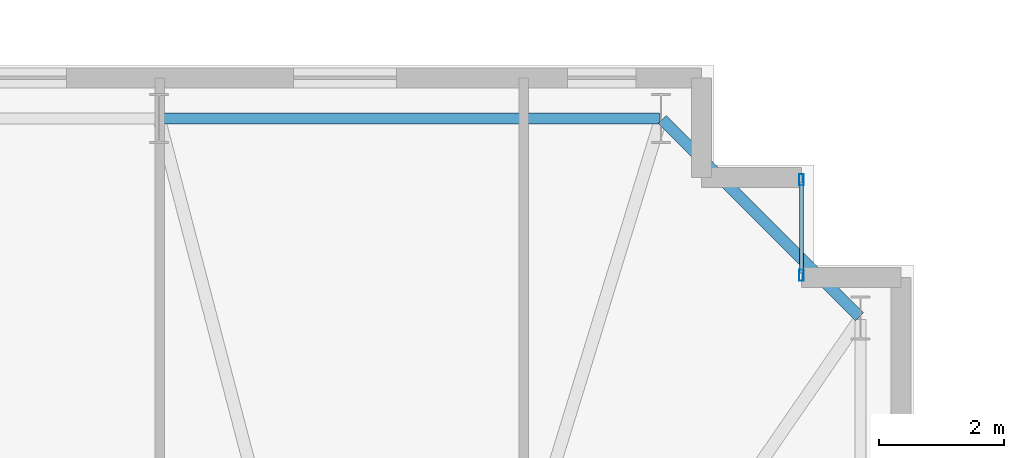
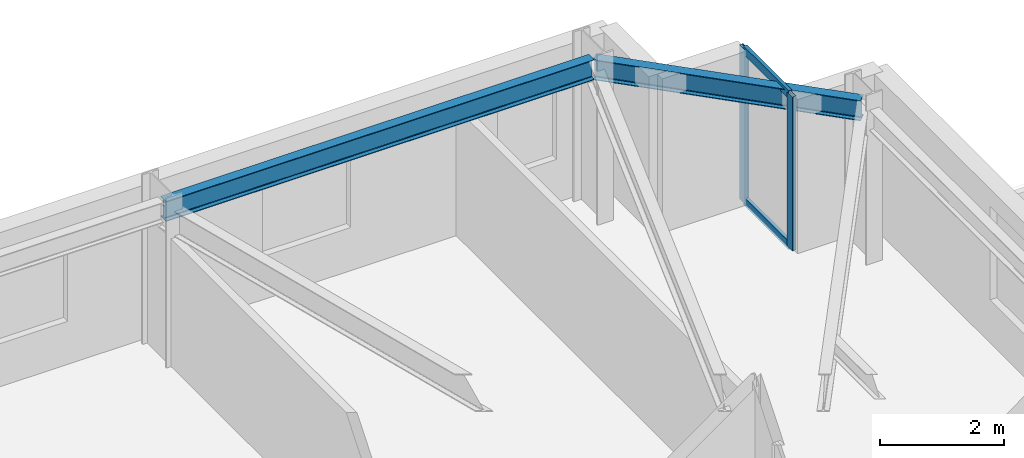
# One storey, part 9 of 17: 4 members, 2 beams, 1 element without a shape of its own.
"""IFC4 building model written with IfcOpenShell, lengths in metres."""

from ifc_helpers import new_model, si_unit, direction, frame, origin, origin_2d, place, context, subcontext, project, spatial, hollow_rectangle, i_section, extrude, material, layer, layer_set, material_profile, profile_set, type_object, element, aggregate, save


model = new_model("IFC4")

# Units and contexts
model_context = context("Model", 3, precision=1e-05, world=origin(), true_north=direction((0.0, 1.0)))
body_context = subcontext(model_context, "Body", "Model", "MODEL_VIEW")
ifc_project = project(units=[si_unit("LENGTHUNIT", "METRE"), si_unit("AREAUNIT", "SQUARE_METRE"), si_unit("VOLUMEUNIT", "CUBIC_METRE"), si_unit("PLANEANGLEUNIT", "RADIAN"), si_unit("MASSUNIT", "GRAM", prefix="KILO")], contexts=[model_context])

# Site, building, storey
site_placement = place(None, origin())
site = spatial("IfcSite", under=ifc_project, at=site_placement, CompositionType="ELEMENT")
building_placement = place(site_placement, origin())
building = spatial("IfcBuilding", under=site, at=building_placement, Name="Qobustan Lattice House", CompositionType="ELEMENT")
storey_placement = place(building_placement, frame((0.0, 0.0, 144.39990234375)))
storey = spatial("IfcBuildingStorey", under=building, at=storey_placement, Name="L40", CompositionType="ELEMENT", Elevation=144.39990234375)

# Beams
ifc_material_1 = material(Name="Steel S355", Category="steel")
ifc_material_profile_1 = material_profile(ifc_material_1, i_section(OverallWidth=0.179931640625, OverallDepth=0.39990234375, WebThickness=0.008544921875, FlangeThickness=0.013427734375, FilletRadius=0.02099609375, at=origin_2d()), Name="IPE400")
ifc_profile_set_1 = profile_set([ifc_material_profile_1], Name="Steel S355")
beam_type = type_object("IfcBeamType", Name="BM-SPD-IPE400", PredefinedType="SPANDREL", material=ifc_profile_set_1)
beam_1_placement = place(storey_placement, frame((26.332275390625, 16.567626953125, 2.840087890625), z_axis=(-0.707079505568, 0.707134055753, 0.0), x_axis=(-0.707134055753, -0.707079505568, 0.0)))
element("IfcBeam", 1, at=beam_1_placement, inside=storey, type_object=beam_type, Name="L40 perimeter spandrel E4-N1", PredefinedType="SPANDREL", context=body_context, shape_type="SweptSolid", body=[
    extrude(i_section(OverallWidth=0.179931640625, OverallDepth=0.39990234375, WebThickness=0.008544921875, FlangeThickness=0.013427734375, FilletRadius=0.02099609375, at=origin_2d()), origin(), (0.0, 0.0, 1.0), 4.4755859375),
])
beam_2_placement = place(storey_placement, frame((23.125, 19.75, 2.840087890625), z_axis=(-1.0, 0.0, 0.0), x_axis=(0.0, -1.0, 0.0)))
element("IfcBeam", 2, at=beam_2_placement, inside=storey, type_object=beam_type, Name="L40 perimeter spandrel N1-N2", PredefinedType="SPANDREL", context=body_context, shape_type="SweptSolid", body=[
    extrude(i_section(OverallWidth=0.179931640625, OverallDepth=0.39990234375, WebThickness=0.008544921875, FlangeThickness=0.013427734375, FilletRadius=0.02099609375, at=origin_2d()), origin(), (0.0, 0.0, 1.0), 8.0),
])

# Curtain wall, members
ifc_material_2 = material(Name="Anodised aluminium and low-E glazing", Category="aluminium")
ifc_layer = layer(ifc_material_2, 0.219970703125)
ifc_layer_set = layer_set([ifc_layer], Name="Anodised aluminium and low-E glazing")
curtain_wall_type = type_object("IfcCurtainWallType", Name="CW-FAC-02", PredefinedType="USERDEFINED", material=ifc_layer_set)
curtain_wall_placement = place(storey_placement, origin())
curtain_wall = element("IfcCurtainWall", 3, at=curtain_wall_placement, inside=storey, type_object=curtain_wall_type, Name="L40 serrated corner faceted glazing 13", ObjectType="CURTAIN WALL", PredefinedType="USERDEFINED")
ifc_material_3 = material(Name="Anodised aluminium EN AW-6063 T6", Category="aluminium")
ifc_material_profile_2 = material_profile(ifc_material_3, hollow_rectangle(XDim=0.070068359375, YDim=0.179931640625, WallThickness=0.00439453125, at=origin_2d()), Name="CWM-180x70")
ifc_profile_set_2 = profile_set([ifc_material_profile_2], Name="Anodised aluminium EN AW-6063 T6")
member_type_1 = type_object("IfcMemberType", Name="CWM-STD-180", PredefinedType="MULLION", material=ifc_profile_set_2)
member_1_placement = place(storey_placement, frame((25.39990234375, 18.764892578125, 0.0), z_axis=(0.0, 0.0, 1.0), x_axis=(1.0, 0.0, 0.0)))
member_1 = element("IfcMember", 4, at=member_1_placement, type_object=member_type_1, Name="CW-F2 mullion 1", PredefinedType="MULLION", context=body_context, shape_type="SweptSolid", body=[
    extrude(hollow_rectangle(XDim=0.070068359375, YDim=0.179931640625, WallThickness=0.00439453125, at=origin_2d()), origin(), (0.0, 0.0, 1.0), 3.0400390625),
])
member_2_placement = place(storey_placement, frame((25.39990234375, 17.235107421875, 0.0), z_axis=(0.0, 0.0, 1.0), x_axis=(1.0, 0.0, 0.0)))
member_2 = element("IfcMember", 5, at=member_2_placement, type_object=member_type_1, Name="CW-F2 mullion 2", PredefinedType="MULLION", context=body_context, shape_type="SweptSolid", body=[
    extrude(hollow_rectangle(XDim=0.070068359375, YDim=0.179931640625, WallThickness=0.00439453125, at=origin_2d()), origin(), (0.0, 0.0, 1.0), 3.0400390625),
])
ifc_material_4 = material(Name="Anodised aluminium EN AW-6063 T6", Category="aluminium")
ifc_material_profile_3 = material_profile(ifc_material_4, hollow_rectangle(XDim=0.06494140625, YDim=0.159912109375, WallThickness=0.00390625, at=origin_2d()), Name="CWT-160x65")
ifc_profile_set_3 = profile_set([ifc_material_profile_3], Name="Anodised aluminium EN AW-6063 T6")
member_type_2 = type_object("IfcMemberType", Name="CWT-HOR-160", PredefinedType="USERDEFINED", material=ifc_profile_set_3)
member_3_placement = place(storey_placement, frame((25.39990234375, 18.72998046875, 0.03271484375), z_axis=(0.0, -1.0, 0.0), x_axis=(1.0, 0.0, 0.0)))
member_3 = element("IfcMember", 6, at=member_3_placement, type_object=member_type_2, Name="CW-F2 transom 1.1", ObjectType="TRANSOM", PredefinedType="USERDEFINED", context=body_context, shape_type="SweptSolid", body=[
    extrude(hollow_rectangle(XDim=0.06494140625, YDim=0.159912109375, WallThickness=0.00390625, at=origin_2d()), origin(), (0.0, 0.0, 1.0), 1.4599609375),
])
member_4_placement = place(storey_placement, frame((25.39990234375, 18.72998046875, 3.007568359375), z_axis=(0.0, -1.0, 0.0), x_axis=(1.0, 0.0, 0.0)))
member_4 = element("IfcMember", 7, at=member_4_placement, type_object=member_type_2, Name="CW-F2 transom 1.2", ObjectType="TRANSOM", PredefinedType="USERDEFINED", context=body_context, shape_type="SweptSolid", body=[
    extrude(hollow_rectangle(XDim=0.06494140625, YDim=0.159912109375, WallThickness=0.00390625, at=origin_2d()), origin(), (0.0, 0.0, 1.0), 1.4599609375),
])
aggregate(curtain_wall, [member_1, member_2, member_3, member_4])

save(model, "model.ifc")
